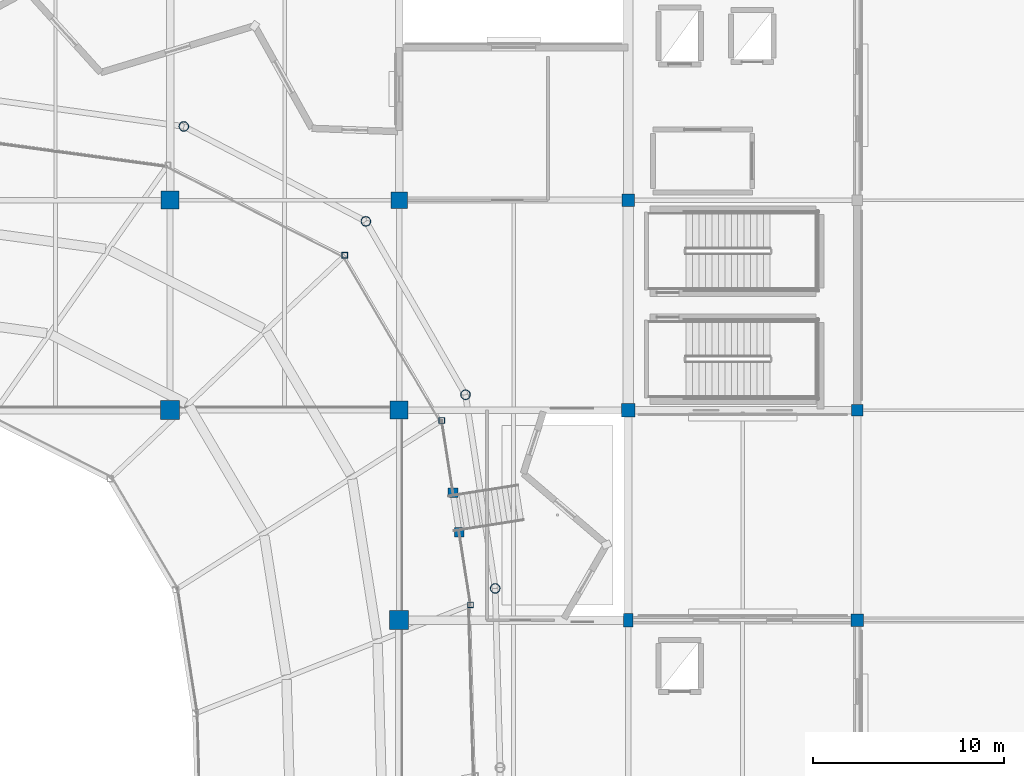
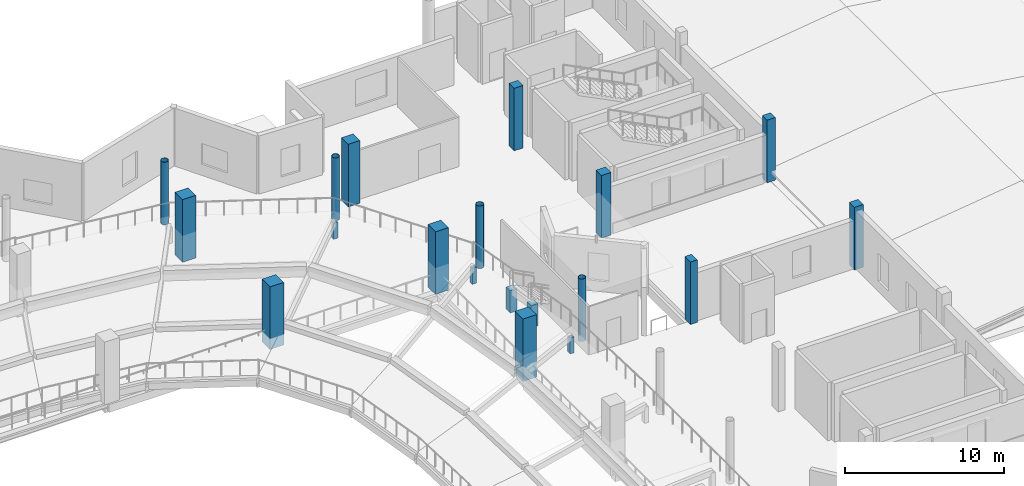
# One storey, part 14 of 77: 19 columns.
"""IFC4 building model written with IfcOpenShell, lengths in metres."""

from ifc_helpers import new_model, si_unit, direction, frame, origin, origin_2d, place, context, subcontext, project, spatial, rectangle, hollow_rectangle, hollow_circle, extrude, material, material_profile, profile_set, type_object, element, save


model = new_model("IFC4")

# Units and contexts
model_context = context("Model", 3, precision=1e-05, world=origin(), true_north=direction((0.0, 1.0)))
body_context = subcontext(model_context, "Body", "Model", "MODEL_VIEW")
ifc_project = project(units=[si_unit("LENGTHUNIT", "METRE"), si_unit("AREAUNIT", "SQUARE_METRE"), si_unit("VOLUMEUNIT", "CUBIC_METRE"), si_unit("PLANEANGLEUNIT", "RADIAN"), si_unit("MASSUNIT", "GRAM", prefix="KILO")], contexts=[model_context])

# Site, building, storey
site_placement = place(None, origin())
site = spatial("IfcSite", under=ifc_project, at=site_placement, CompositionType="ELEMENT")
building_placement = place(site_placement, origin())
building = spatial("IfcBuilding", under=site, at=building_placement, Name="Luwafu Chhajja Arena", CompositionType="ELEMENT")
storey_placement = place(building_placement, frame((0.0, 0.0, 14.699951171875)))
storey = spatial("IfcBuildingStorey", under=building, at=storey_placement, Name="L03", CompositionType="ELEMENT", Elevation=14.699951171875)

# Columns
ifc_material_1 = material(Name="Concrete C40/50", Category="concrete")
ifc_material_profile_1 = material_profile(ifc_material_1, rectangle(XDim=1.0, YDim=1.0, at=origin_2d()), Name="RC 1000x1000")
ifc_profile_set_1 = profile_set([ifc_material_profile_1], Name="Concrete C40/50")
column_type_1 = type_object("IfcColumnType", Name="Bowl Primary Column RC 1000", PredefinedType="COLUMN", material=ifc_profile_set_1)
for number, where, z_axis, x_axis, name in (
    (1, (128.0, 77.0, 0.0), (0.0, 0.0, 1.0), (1.0, 0.0, 0.0), "L03 Grid Column 12/H"),
    (2, (140.0, 66.0, 0.0), (0.0, 0.0, 1.0), (1.0, 0.0, 0.0), "L03 Grid Column 13/G"),
):
    element("IfcColumn", number, at=place(storey_placement, frame(where, z_axis=z_axis, x_axis=x_axis)), inside=storey, type_object=column_type_1, Name=name, PredefinedType="COLUMN", context=body_context, shape_type="SweptSolid", body=[
        extrude(rectangle(XDim=1.0, YDim=1.0, at=origin_2d()), origin(), (0.0, 0.0, 1.0), 4.800048828125),
    ])
ifc_material_profile_2 = material_profile(ifc_material_1, rectangle(XDim=0.949951171875, YDim=0.949951171875, at=origin_2d()), Name="RC 950x950")
ifc_profile_set_2 = profile_set([ifc_material_profile_2], Name="Concrete C40/50")
column_type_2 = type_object("IfcColumnType", Name="Bowl Raker Support Column RC 950", PredefinedType="COLUMN", material=ifc_profile_set_2)
for number, where, z_axis, x_axis, name in (
    (3, (128.0, 88.0, 0.0), (0.0, 0.0, 1.0), (1.0, 0.0, 0.0), "L03 Grid Column 12/J"),
    (4, (140.0, 77.0, 0.0), (0.0, 0.0, 1.0), (1.0, 0.0, 0.0), "L03 Grid Column 13/H"),
):
    element("IfcColumn", number, at=place(storey_placement, frame(where, z_axis=z_axis, x_axis=x_axis)), inside=storey, type_object=column_type_2, Name=name, PredefinedType="COLUMN", context=body_context, shape_type="SweptSolid", body=[
        extrude(rectangle(XDim=0.949951171875, YDim=0.949951171875, at=origin_2d()), origin(), (0.0, 0.0, 1.0), 4.800048828125),
    ])
ifc_material_2 = material(Name="Concrete C35/45", Category="concrete")
ifc_material_profile_3 = material_profile(ifc_material_2, rectangle(XDim=0.85009765625, YDim=0.85009765625, at=origin_2d()), Name="RC 850x850")
ifc_profile_set_3 = profile_set([ifc_material_profile_3], Name="Concrete C35/45")
column_type_3 = type_object("IfcColumnType", Name="Concourse Heavy Column RC 850", PredefinedType="COLUMN", material=ifc_profile_set_3)
column_1_placement = place(storey_placement, frame((140.0, 88.0, 0.0), z_axis=(0.0, 0.0, 1.0), x_axis=(1.0, 0.0, 0.0)))
element("IfcColumn", 5, at=column_1_placement, inside=storey, type_object=column_type_3, Name="L03 Grid Column 13/J", PredefinedType="COLUMN", context=body_context, shape_type="SweptSolid", body=[
    extrude(rectangle(XDim=0.85009765625, YDim=0.85009765625, at=origin_2d()), origin(), (0.0, 0.0, 1.0), 4.800048828125),
])
ifc_material_profile_4 = material_profile(ifc_material_2, rectangle(XDim=0.60009765625, YDim=0.60009765625, at=origin_2d()), Name="RC 600x600")
ifc_profile_set_4 = profile_set([ifc_material_profile_4], Name="Concrete C35/45")
column_type_4 = type_object("IfcColumnType", Name="Mezzanine Column RC 600", PredefinedType="COLUMN", material=ifc_profile_set_4)
column_2_placement = place(storey_placement, frame((164.0, 77.0, 0.0), z_axis=(0.0, 0.0, 1.0), x_axis=(1.0, 0.0, 0.0)))
element("IfcColumn", 6, at=column_2_placement, inside=storey, type_object=column_type_4, Name="L03 Grid Column 15/H", PredefinedType="COLUMN", context=body_context, shape_type="SweptSolid", body=[
    extrude(rectangle(XDim=0.60009765625, YDim=0.60009765625, at=origin_2d()), origin(), (0.0, 0.0, 1.0), 4.800048828125),
])
ifc_material_profile_5 = material_profile(ifc_material_2, rectangle(XDim=0.5, YDim=0.5, at=origin_2d()), Name="RC 500x500")
ifc_profile_set_5 = profile_set([ifc_material_profile_5], Name="Concrete C35/45")
column_type_5 = type_object("IfcColumnType", Name="Pavilion Column RC 500", PredefinedType="COLUMN", material=ifc_profile_set_5)
for number, where, z_axis, x_axis, name in (
    (7, (143.145751953125, 70.58984375, 0.0), (0.0, 0.0, 1.0), (1.0, 0.0, 0.0), "L03 Vomitory Header Column VU03A"),
    (8, (142.821044921875, 72.66455078125, 0.0), (0.0, 0.0, 1.0), (1.0, 0.0, 0.0), "L03 Vomitory Header Column VU03B"),
):
    element("IfcColumn", number, at=place(storey_placement, frame(where, z_axis=z_axis, x_axis=x_axis)), inside=storey, type_object=column_type_5, Name=name, PredefinedType="COLUMN", context=body_context, shape_type="SweptSolid", body=[
        extrude(rectangle(XDim=0.5, YDim=0.5, at=origin_2d()), origin(), (0.0, 0.0, 1.0), 1.699951171875),
    ])
ifc_material_profile_6 = material_profile(ifc_material_2, rectangle(XDim=0.5, YDim=0.699951171875, at=origin_2d()), Name="RC 500x700")
ifc_profile_set_6 = profile_set([ifc_material_profile_6], Name="Concrete C35/45")
column_type_6 = type_object("IfcColumnType", Name="Perimeter Pilaster Column RC 500x700", PredefinedType="COLUMN", material=ifc_profile_set_6)
column_3_placement = place(storey_placement, frame((152.0, 66.0, 0.0), z_axis=(0.0, 0.0, 1.0), x_axis=(1.0, 0.0, 0.0)))
element("IfcColumn", 9, at=column_3_placement, inside=storey, type_object=column_type_6, Name="L03 Grid Column 14/G", PredefinedType="COLUMN", context=body_context, shape_type="SweptSolid", body=[
    extrude(rectangle(XDim=0.5, YDim=0.699951171875, at=origin_2d()), origin(), (0.0, 0.0, 1.0), 4.800048828125),
])
ifc_material_3 = material(Name="Steel S355", Category="steel")
ifc_material_profile_7 = material_profile(ifc_material_3, hollow_rectangle(XDim=0.300048828125, YDim=0.300048828125, WallThickness=0.01611328125, at=origin_2d()), Name="SHS 300x300x16")
ifc_profile_set_7 = profile_set([ifc_material_profile_7], Name="Steel S355")
column_type_7 = type_object("IfcColumnType", Name="Steel Gallery Post SHS 300", PredefinedType="COLUMN", material=ifc_profile_set_7)
for number, where, z_axis, x_axis, name in (
    (10, (143.739501953125, 66.79638671875, 0.0), (0.0, 0.0, 1.0), (1.0, 0.0, 0.0), "L03 Upper Raker Rear Post 03"),
    (11, (142.227294921875, 76.4580078125, 0.0), (0.0, 0.0, 1.0), (1.0, 0.0, 0.0), "L03 Upper Raker Rear Post 04"),
    (12, (137.15380859375, 85.1103515625, 0.0), (0.0, 0.0, 1.0), (1.0, 0.0, 0.0), "L03 Upper Raker Rear Post 05"),
):
    element("IfcColumn", number, at=place(storey_placement, frame(where, z_axis=z_axis, x_axis=x_axis)), inside=storey, type_object=column_type_7, Name=name, PredefinedType="COLUMN", context=body_context, shape_type="SweptSolid", body=[
        extrude(hollow_rectangle(XDim=0.300048828125, YDim=0.300048828125, WallThickness=0.01611328125, at=origin_2d()), origin(), (0.0, 0.0, 1.0), 1.219970703125),
    ])
ifc_material_profile_8 = material_profile(ifc_material_3, hollow_circle(Radius=0.25390625, WallThickness=0.02001953125, at=origin_2d()), Name="CHS 508x20")
ifc_profile_set_8 = profile_set([ifc_material_profile_8], Name="Steel S355")
column_type_8 = type_object("IfcColumnType", Name="Steel Upper Drum Column CHS 508", PredefinedType="COLUMN", material=ifc_profile_set_8)
for number, where, z_axis, x_axis, name in (
    (13, (145.031982421875, 67.6611328125, 0.0), (0.0, 0.0, 1.0), (1.0, 0.0, 0.0), "L03 Bowl Drum Column D03"),
    (14, (143.47607421875, 77.805908203125, 0.0), (0.0, 0.0, 1.0), (1.0, 0.0, 0.0), "L03 Bowl Drum Column D04"),
    (15, (138.256103515625, 86.890869140625, 0.0), (0.0, 0.0, 1.0), (1.0, 0.0, 0.0), "L03 Bowl Drum Column D05"),
    (16, (128.718017578125, 91.86279296875, 0.0), (0.0, 0.0, 1.0), (1.0, 0.0, 0.0), "L03 Bowl Drum Column D06"),
):
    element("IfcColumn", number, at=place(storey_placement, frame(where, z_axis=z_axis, x_axis=x_axis)), inside=storey, type_object=column_type_8, Name=name, PredefinedType="COLUMN", context=body_context, shape_type="SweptSolid", body=[
        extrude(hollow_circle(Radius=0.25390625, WallThickness=0.02001953125, at=origin_2d()), origin(), (0.0, 0.0, 1.0), 4.800048828125),
    ])
ifc_material_profile_9 = material_profile(ifc_material_2, rectangle(XDim=0.64990234375, YDim=0.64990234375, at=origin_2d()), Name="RC 650x650")
ifc_profile_set_9 = profile_set([ifc_material_profile_9], Name="Concrete C35/45")
column_type_9 = type_object("IfcColumnType", Name="Upper Wing Column RC 650", PredefinedType="COLUMN", material=ifc_profile_set_9)
for number, where, z_axis, x_axis, name in (
    (17, (152.0, 88.0, 0.0), (0.0, 0.0, 1.0), (1.0, 0.0, 0.0), "L03 Grid Column 14/J"),
    (18, (164.0, 66.0, 0.0), (0.0, 0.0, 1.0), (1.0, 0.0, 0.0), "L03 Grid Column 15/G"),
):
    element("IfcColumn", number, at=place(storey_placement, frame(where, z_axis=z_axis, x_axis=x_axis)), inside=storey, type_object=column_type_9, Name=name, PredefinedType="COLUMN", context=body_context, shape_type="SweptSolid", body=[
        extrude(rectangle(XDim=0.64990234375, YDim=0.64990234375, at=origin_2d()), origin(), (0.0, 0.0, 1.0), 4.800048828125),
    ])
ifc_material_profile_10 = material_profile(ifc_material_2, rectangle(XDim=0.699951171875, YDim=0.699951171875, at=origin_2d()), Name="RC 700x700")
ifc_profile_set_10 = profile_set([ifc_material_profile_10], Name="Concrete C35/45")
column_type_10 = type_object("IfcColumnType", Name="Wing Frame Column RC 700", PredefinedType="COLUMN", material=ifc_profile_set_10)
column_4_placement = place(storey_placement, frame((152.0, 77.0, 0.0), z_axis=(0.0, 0.0, 1.0), x_axis=(1.0, 0.0, 0.0)))
element("IfcColumn", 19, at=column_4_placement, inside=storey, type_object=column_type_10, Name="L03 Grid Column 14/H", PredefinedType="COLUMN", context=body_context, shape_type="SweptSolid", body=[
    extrude(rectangle(XDim=0.699951171875, YDim=0.699951171875, at=origin_2d()), origin(), (0.0, 0.0, 1.0), 4.800048828125),
])

save(model, "model.ifc")
